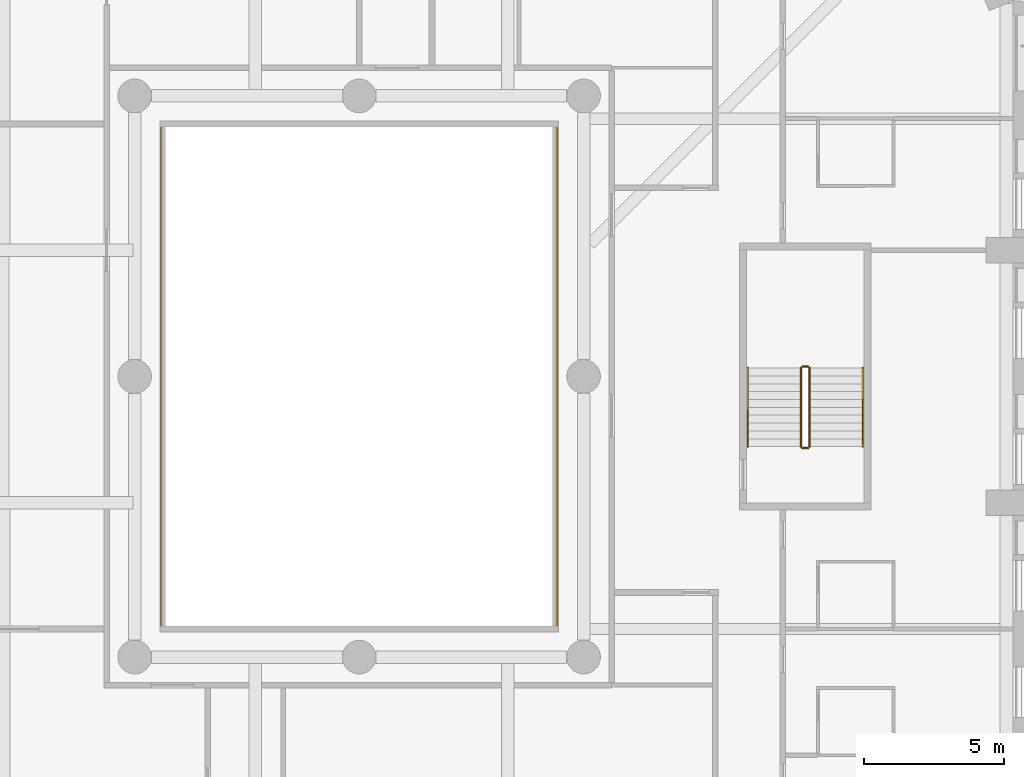
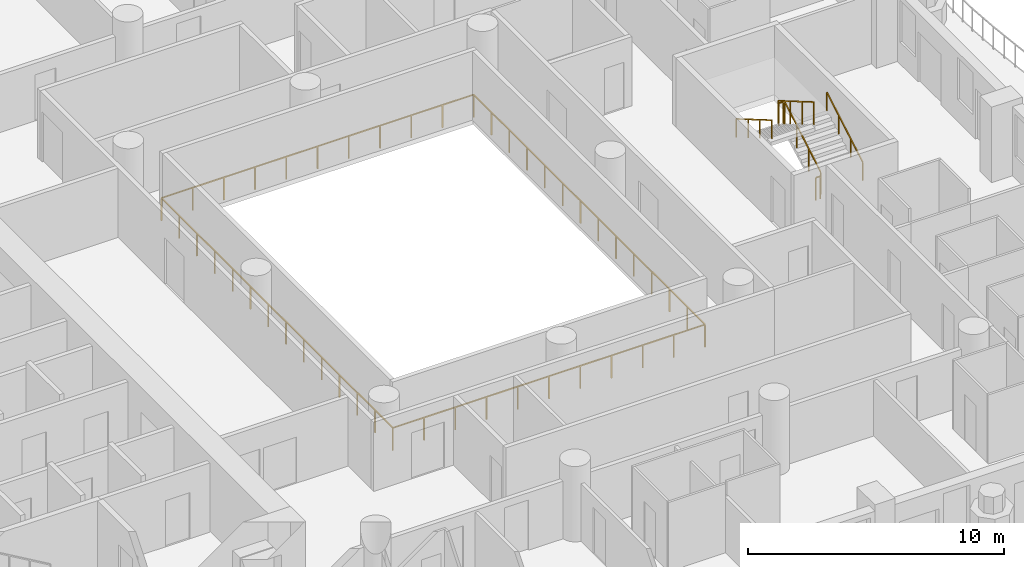
# One storey, part 15 of 20: 7 railings.
"""IFC4 building model written with IfcOpenShell, lengths in metres."""

from ifc_helpers import new_model, si_unit, direction, frame, origin, origin_2d, place, context, subcontext, project, spatial, rectangle, extrude, material, type_object, element, save


model = new_model("IFC4")

# Units and contexts
model_context = context("Model", 3, precision=1e-05, world=origin(), true_north=direction((0.0, 1.0)))
body_context = subcontext(model_context, "Body", "Model", "MODEL_VIEW")
ifc_project = project(units=[si_unit("LENGTHUNIT", "METRE"), si_unit("AREAUNIT", "SQUARE_METRE"), si_unit("VOLUMEUNIT", "CUBIC_METRE"), si_unit("PLANEANGLEUNIT", "RADIAN"), si_unit("MASSUNIT", "GRAM", prefix="KILO")], contexts=[model_context])

# Site, building, storey
site_placement = place(None, origin())
site = spatial("IfcSite", under=ifc_project, at=site_placement, CompositionType="ELEMENT")
building_placement = place(site_placement, origin())
building = spatial("IfcBuilding", under=site, at=building_placement, Name="Cypress Arch Tower", CompositionType="ELEMENT")
storey_placement = place(building_placement, frame((0.0, 0.0, 80.699951171875)))
storey = spatial("IfcBuildingStorey", under=building, at=storey_placement, Name="L14", CompositionType="ELEMENT", Elevation=80.699951171875)

# Railings
ifc_material_1 = material(Name="Stainless steel posts and handrail, laminated glass infill", Category="steel")
railing_type_1 = type_object("IfcRailingType", Name="Atrium guard GR1100A", PredefinedType="GUARDRAIL", material=ifc_material_1)
railing_1_placement = place(storey_placement, frame((8.050048828125, -9.050048828125, 0.0)))
element("IfcRailing", 1, at=railing_1_placement, inside=storey, type_object=railing_type_1, Name="Atrium guard L14", PredefinedType="GUARDRAIL", context=body_context, shape_type="SweptSolid", body=[
    extrude(rectangle(XDim=0.050048828125, YDim=0.050048828125, at=origin_2d()), frame((0.0, 0.0, 1.0751953125), z_axis=(-1.0, 0.0, 0.0), x_axis=(0.0, -1.0, 0.0)), (0.0, 0.0, 1.0), 14.10009765625),
    extrude(rectangle(XDim=0.050048828125, YDim=0.050048828125, at=origin_2d()), frame((-14.10009765625, 0.0, 1.0751953125), z_axis=(0.0, 1.0, 0.0), x_axis=(-1.0, 0.0, 0.0)), (0.0, 0.0, 1.0), 18.10009765625),
    extrude(rectangle(XDim=0.050048828125, YDim=0.050048828125, at=origin_2d()), frame((-14.10009765625, 18.10009765625, 1.0751953125), z_axis=(1.0, 0.0, 0.0), x_axis=(0.0, 1.0, 0.0)), (0.0, 0.0, 1.0), 14.10009765625),
    extrude(rectangle(XDim=0.050048828125, YDim=0.050048828125, at=origin_2d()), frame((0.0, 18.10009765625, 1.0751953125), z_axis=(0.0, -1.0, 0.0), x_axis=(1.0, 0.0, 0.0)), (0.0, 0.0, 1.0), 18.10009765625),
    extrude(rectangle(XDim=0.050048828125, YDim=0.050048828125, at=origin_2d()), origin(), (0.0, 0.0, 1.0), 1.050048828125),
    extrude(rectangle(XDim=0.050048828125, YDim=0.050048828125, at=origin_2d()), frame((-1.409912109375, 0.0, 0.0)), (0.0, 0.0, 1.0), 1.050048828125),
    extrude(rectangle(XDim=0.050048828125, YDim=0.050048828125, at=origin_2d()), frame((-2.820068359375, 0.0, 0.0)), (0.0, 0.0, 1.0), 1.050048828125),
    extrude(rectangle(XDim=0.050048828125, YDim=0.050048828125, at=origin_2d()), frame((-4.22998046875, 0.0, 0.0)), (0.0, 0.0, 1.0), 1.050048828125),
    extrude(rectangle(XDim=0.050048828125, YDim=0.050048828125, at=origin_2d()), frame((-5.64013671875, 0.0, 0.0)), (0.0, 0.0, 1.0), 1.050048828125),
    extrude(rectangle(XDim=0.050048828125, YDim=0.050048828125, at=origin_2d()), frame((-7.050048828125, 0.0, 0.0)), (0.0, 0.0, 1.0), 1.050048828125),
    extrude(rectangle(XDim=0.050048828125, YDim=0.050048828125, at=origin_2d()), frame((-8.4599609375, 0.0, 0.0)), (0.0, 0.0, 1.0), 1.050048828125),
    extrude(rectangle(XDim=0.050048828125, YDim=0.050048828125, at=origin_2d()), frame((-9.8701171875, 0.0, 0.0)), (0.0, 0.0, 1.0), 1.050048828125),
    extrude(rectangle(XDim=0.050048828125, YDim=0.050048828125, at=origin_2d()), frame((-11.280029296875, 0.0, 0.0)), (0.0, 0.0, 1.0), 1.050048828125),
    extrude(rectangle(XDim=0.050048828125, YDim=0.050048828125, at=origin_2d()), frame((-12.690185546875, 0.0, 0.0)), (0.0, 0.0, 1.0), 1.050048828125),
    extrude(rectangle(XDim=0.050048828125, YDim=0.050048828125, at=origin_2d()), frame((-14.10009765625, 0.0, 0.0)), (0.0, 0.0, 1.0), 1.050048828125),
    extrude(rectangle(XDim=0.050048828125, YDim=0.050048828125, at=origin_2d()), frame((-14.10009765625, 1.392333984375, 0.0)), (0.0, 0.0, 1.0), 1.050048828125),
    extrude(rectangle(XDim=0.050048828125, YDim=0.050048828125, at=origin_2d()), frame((-14.10009765625, 2.78466796875, 0.0)), (0.0, 0.0, 1.0), 1.050048828125),
    extrude(rectangle(XDim=0.050048828125, YDim=0.050048828125, at=origin_2d()), frame((-14.10009765625, 4.177001953125, 0.0)), (0.0, 0.0, 1.0), 1.050048828125),
    extrude(rectangle(XDim=0.050048828125, YDim=0.050048828125, at=origin_2d()), frame((-14.10009765625, 5.5693359375, 0.0)), (0.0, 0.0, 1.0), 1.050048828125),
    extrude(rectangle(XDim=0.050048828125, YDim=0.050048828125, at=origin_2d()), frame((-14.10009765625, 6.961669921875, 0.0)), (0.0, 0.0, 1.0), 1.050048828125),
    extrude(rectangle(XDim=0.050048828125, YDim=0.050048828125, at=origin_2d()), frame((-14.10009765625, 8.35400390625, 0.0)), (0.0, 0.0, 1.0), 1.050048828125),
    extrude(rectangle(XDim=0.050048828125, YDim=0.050048828125, at=origin_2d()), frame((-14.10009765625, 9.74609375, 0.0)), (0.0, 0.0, 1.0), 1.050048828125),
    extrude(rectangle(XDim=0.050048828125, YDim=0.050048828125, at=origin_2d()), frame((-14.10009765625, 11.138427734375, 0.0)), (0.0, 0.0, 1.0), 1.050048828125),
    extrude(rectangle(XDim=0.050048828125, YDim=0.050048828125, at=origin_2d()), frame((-14.10009765625, 12.53076171875, 0.0)), (0.0, 0.0, 1.0), 1.050048828125),
    extrude(rectangle(XDim=0.050048828125, YDim=0.050048828125, at=origin_2d()), frame((-14.10009765625, 13.923095703125, 0.0)), (0.0, 0.0, 1.0), 1.050048828125),
    extrude(rectangle(XDim=0.050048828125, YDim=0.050048828125, at=origin_2d()), frame((-14.10009765625, 15.3154296875, 0.0)), (0.0, 0.0, 1.0), 1.050048828125),
    extrude(rectangle(XDim=0.050048828125, YDim=0.050048828125, at=origin_2d()), frame((-14.10009765625, 16.707763671875, 0.0)), (0.0, 0.0, 1.0), 1.050048828125),
    extrude(rectangle(XDim=0.050048828125, YDim=0.050048828125, at=origin_2d()), frame((-14.10009765625, 18.10009765625, 0.0)), (0.0, 0.0, 1.0), 1.050048828125),
    extrude(rectangle(XDim=0.050048828125, YDim=0.050048828125, at=origin_2d()), frame((-12.690185546875, 18.10009765625, 0.0)), (0.0, 0.0, 1.0), 1.050048828125),
    extrude(rectangle(XDim=0.050048828125, YDim=0.050048828125, at=origin_2d()), frame((-11.280029296875, 18.10009765625, 0.0)), (0.0, 0.0, 1.0), 1.050048828125),
    extrude(rectangle(XDim=0.050048828125, YDim=0.050048828125, at=origin_2d()), frame((-9.8701171875, 18.10009765625, 0.0)), (0.0, 0.0, 1.0), 1.050048828125),
    extrude(rectangle(XDim=0.050048828125, YDim=0.050048828125, at=origin_2d()), frame((-8.4599609375, 18.10009765625, 0.0)), (0.0, 0.0, 1.0), 1.050048828125),
    extrude(rectangle(XDim=0.050048828125, YDim=0.050048828125, at=origin_2d()), frame((-7.050048828125, 18.10009765625, 0.0)), (0.0, 0.0, 1.0), 1.050048828125),
    extrude(rectangle(XDim=0.050048828125, YDim=0.050048828125, at=origin_2d()), frame((-5.64013671875, 18.10009765625, 0.0)), (0.0, 0.0, 1.0), 1.050048828125),
    extrude(rectangle(XDim=0.050048828125, YDim=0.050048828125, at=origin_2d()), frame((-4.22998046875, 18.10009765625, 0.0)), (0.0, 0.0, 1.0), 1.050048828125),
    extrude(rectangle(XDim=0.050048828125, YDim=0.050048828125, at=origin_2d()), frame((-2.820068359375, 18.10009765625, 0.0)), (0.0, 0.0, 1.0), 1.050048828125),
    extrude(rectangle(XDim=0.050048828125, YDim=0.050048828125, at=origin_2d()), frame((-1.409912109375, 18.10009765625, 0.0)), (0.0, 0.0, 1.0), 1.050048828125),
    extrude(rectangle(XDim=0.050048828125, YDim=0.050048828125, at=origin_2d()), frame((0.0, 18.10009765625, 0.0)), (0.0, 0.0, 1.0), 1.050048828125),
    extrude(rectangle(XDim=0.050048828125, YDim=0.050048828125, at=origin_2d()), frame((0.0, 16.707763671875, 0.0)), (0.0, 0.0, 1.0), 1.050048828125),
    extrude(rectangle(XDim=0.050048828125, YDim=0.050048828125, at=origin_2d()), frame((0.0, 15.3154296875, 0.0)), (0.0, 0.0, 1.0), 1.050048828125),
    extrude(rectangle(XDim=0.050048828125, YDim=0.050048828125, at=origin_2d()), frame((0.0, 13.923095703125, 0.0)), (0.0, 0.0, 1.0), 1.050048828125),
    extrude(rectangle(XDim=0.050048828125, YDim=0.050048828125, at=origin_2d()), frame((0.0, 12.53076171875, 0.0)), (0.0, 0.0, 1.0), 1.050048828125),
    extrude(rectangle(XDim=0.050048828125, YDim=0.050048828125, at=origin_2d()), frame((0.0, 11.138427734375, 0.0)), (0.0, 0.0, 1.0), 1.050048828125),
    extrude(rectangle(XDim=0.050048828125, YDim=0.050048828125, at=origin_2d()), frame((0.0, 9.74609375, 0.0)), (0.0, 0.0, 1.0), 1.050048828125),
    extrude(rectangle(XDim=0.050048828125, YDim=0.050048828125, at=origin_2d()), frame((0.0, 8.35400390625, 0.0)), (0.0, 0.0, 1.0), 1.050048828125),
    extrude(rectangle(XDim=0.050048828125, YDim=0.050048828125, at=origin_2d()), frame((0.0, 6.961669921875, 0.0)), (0.0, 0.0, 1.0), 1.050048828125),
    extrude(rectangle(XDim=0.050048828125, YDim=0.050048828125, at=origin_2d()), frame((0.0, 5.5693359375, 0.0)), (0.0, 0.0, 1.0), 1.050048828125),
    extrude(rectangle(XDim=0.050048828125, YDim=0.050048828125, at=origin_2d()), frame((0.0, 4.177001953125, 0.0)), (0.0, 0.0, 1.0), 1.050048828125),
    extrude(rectangle(XDim=0.050048828125, YDim=0.050048828125, at=origin_2d()), frame((0.0, 2.78466796875, 0.0)), (0.0, 0.0, 1.0), 1.050048828125),
    extrude(rectangle(XDim=0.050048828125, YDim=0.050048828125, at=origin_2d()), frame((0.0, 1.392333984375, 0.0)), (0.0, 0.0, 1.0), 1.050048828125),
])
ifc_material_2 = material(Name="Black powder-coated steel square bar 48 mm", Category="steel")
railing_type_2 = type_object("IfcRailingType", Name="Stair handrail HR1", PredefinedType="HANDRAIL", material=ifc_material_2)
railing_2_placement = place(storey_placement, frame((18.949951171875, -2.5, 0.16357421875)))
element("IfcRailing", 2, at=railing_2_placement, inside=storey, type_object=railing_type_2, Name="L14 C stair handrail 1", PredefinedType="HANDRAIL", context=body_context, shape_type="SweptSolid", body=[
    extrude(rectangle(XDim=0.048095703125, YDim=0.048095703125, at=origin_2d()), frame((0.0, 0.0, 0.8759765625), z_axis=(0.0, 0.863360870873, 0.504586966384), x_axis=(-1.0, 0.0, 0.0)), (0.0, 0.0, 1.0), 3.2431640625),
    extrude(rectangle(XDim=0.0419921875, YDim=0.0419921875, at=origin_2d()), origin(), (0.0, 0.0, 1.0), 0.851806640625),
    extrude(rectangle(XDim=0.0419921875, YDim=0.0419921875, at=origin_2d()), frame((0.0, 0.933349609375, 0.54541015625)), (0.0, 0.0, 1.0), 0.851806640625),
    extrude(rectangle(XDim=0.0419921875, YDim=0.0419921875, at=origin_2d()), frame((0.0, 1.86669921875, 1.091064453125)), (0.0, 0.0, 1.0), 0.851806640625),
    extrude(rectangle(XDim=0.0419921875, YDim=0.0419921875, at=origin_2d()), frame((0.0, 2.800048828125, 1.636474609375)), (0.0, 0.0, 1.0), 0.851806640625),
])
railing_3_placement = place(storey_placement, frame((14.85009765625, 0.300048828125, 1.963623046875)))
element("IfcRailing", 3, at=railing_3_placement, inside=storey, type_object=railing_type_2, Name="L14 C stair handrail 2", PredefinedType="HANDRAIL", context=body_context, shape_type="SweptSolid", body=[
    extrude(rectangle(XDim=0.048095703125, YDim=0.048095703125, at=origin_2d()), frame((0.0, 0.0, 0.8759765625), z_axis=(0.0, -0.863360870873, 0.504586966384), x_axis=(1.0, 0.0, 0.0)), (0.0, 0.0, 1.0), 3.2431640625),
    extrude(rectangle(XDim=0.0419921875, YDim=0.0419921875, at=origin_2d()), origin(), (0.0, 0.0, 1.0), 0.851806640625),
    extrude(rectangle(XDim=0.0419921875, YDim=0.0419921875, at=origin_2d()), frame((0.0, -0.933349609375, 0.54541015625)), (0.0, 0.0, 1.0), 0.851806640625),
    extrude(rectangle(XDim=0.0419921875, YDim=0.0419921875, at=origin_2d()), frame((0.0, -1.86669921875, 1.091064453125)), (0.0, 0.0, 1.0), 0.851806640625),
    extrude(rectangle(XDim=0.0419921875, YDim=0.0419921875, at=origin_2d()), frame((0.0, -2.800048828125, 1.636474609375)), (0.0, 0.0, 1.0), 0.851806640625),
])
ifc_material_3 = material(Name="Black powder-coated steel balusters", Category="steel")
railing_type_3 = type_object("IfcRailingType", Name="Stair well guard G1", PredefinedType="GUARDRAIL", material=ifc_material_3)
railing_4_placement = place(storey_placement, frame((17.050048828125, -2.5, 0.16357421875)))
element("IfcRailing", 4, at=railing_4_placement, inside=storey, type_object=railing_type_3, Name="L14 C stair guard 1", PredefinedType="GUARDRAIL", context=body_context, shape_type="SweptSolid", body=[
    extrude(rectangle(XDim=0.048095703125, YDim=0.048095703125, at=origin_2d()), frame((0.0, 0.0, 1.076171875), z_axis=(0.0, 0.863360870873, 0.504586966384), x_axis=(-1.0, 0.0, 0.0)), (0.0, 0.0, 1.0), 3.2431640625),
    extrude(rectangle(XDim=0.0419921875, YDim=0.0419921875, at=origin_2d()), origin(), (0.0, 0.0, 1.0), 1.052001953125),
    extrude(rectangle(XDim=0.0419921875, YDim=0.0419921875, at=origin_2d()), frame((0.0, 0.933349609375, 0.54541015625)), (0.0, 0.0, 1.0), 1.052001953125),
    extrude(rectangle(XDim=0.0419921875, YDim=0.0419921875, at=origin_2d()), frame((0.0, 1.86669921875, 1.091064453125)), (0.0, 0.0, 1.0), 1.052001953125),
    extrude(rectangle(XDim=0.0419921875, YDim=0.0419921875, at=origin_2d()), frame((0.0, 2.800048828125, 1.636474609375)), (0.0, 0.0, 1.0), 1.052001953125),
])
railing_5_placement = place(storey_placement, frame((17.0, 0.35009765625, 1.800048828125)))
element("IfcRailing", 5, at=railing_5_placement, inside=storey, type_object=railing_type_3, Name="L14 C stair guard 2", PredefinedType="GUARDRAIL", context=body_context, shape_type="SweptSolid", body=[
    extrude(rectangle(XDim=0.048095703125, YDim=0.048095703125, at=origin_2d()), frame((0.0, 0.0, 1.076171875), z_axis=(-1.0, 0.0, 0.0), x_axis=(0.0, -1.0, 0.0)), (0.0, 0.0, 1.0), 0.199951171875),
    extrude(rectangle(XDim=0.0419921875, YDim=0.0419921875, at=origin_2d()), origin(), (0.0, 0.0, 1.0), 1.052001953125),
    extrude(rectangle(XDim=0.0419921875, YDim=0.0419921875, at=origin_2d()), frame((-0.199951171875, 0.0, 0.0)), (0.0, 0.0, 1.0), 1.052001953125),
])
railing_6_placement = place(storey_placement, frame((16.75, 0.300048828125, 1.963623046875)))
element("IfcRailing", 6, at=railing_6_placement, inside=storey, type_object=railing_type_3, Name="L14 C stair guard 3", PredefinedType="GUARDRAIL", context=body_context, shape_type="SweptSolid", body=[
    extrude(rectangle(XDim=0.048095703125, YDim=0.048095703125, at=origin_2d()), frame((0.0, 0.0, 1.076171875), z_axis=(0.0, -0.863360870873, 0.504586966384), x_axis=(1.0, 0.0, 0.0)), (0.0, 0.0, 1.0), 3.2431640625),
    extrude(rectangle(XDim=0.0419921875, YDim=0.0419921875, at=origin_2d()), origin(), (0.0, 0.0, 1.0), 1.052001953125),
    extrude(rectangle(XDim=0.0419921875, YDim=0.0419921875, at=origin_2d()), frame((0.0, -0.933349609375, 0.54541015625)), (0.0, 0.0, 1.0), 1.052001953125),
    extrude(rectangle(XDim=0.0419921875, YDim=0.0419921875, at=origin_2d()), frame((0.0, -1.86669921875, 1.091064453125)), (0.0, 0.0, 1.0), 1.052001953125),
    extrude(rectangle(XDim=0.0419921875, YDim=0.0419921875, at=origin_2d()), frame((0.0, -2.800048828125, 1.636474609375)), (0.0, 0.0, 1.0), 1.052001953125),
])
railing_7_placement = place(storey_placement, frame((17.0, -2.550048828125, 0.0)))
element("IfcRailing", 7, at=railing_7_placement, inside=storey, type_object=railing_type_3, Name="L14 C stair guard 4", PredefinedType="GUARDRAIL", context=body_context, shape_type="SweptSolid", body=[
    extrude(rectangle(XDim=0.048095703125, YDim=0.048095703125, at=origin_2d()), frame((0.0, 0.0, 1.076171875), z_axis=(-1.0, 0.0, 0.0), x_axis=(0.0, -1.0, 0.0)), (0.0, 0.0, 1.0), 0.199951171875),
    extrude(rectangle(XDim=0.0419921875, YDim=0.0419921875, at=origin_2d()), origin(), (0.0, 0.0, 1.0), 1.052001953125),
    extrude(rectangle(XDim=0.0419921875, YDim=0.0419921875, at=origin_2d()), frame((-0.199951171875, 0.0, 0.0)), (0.0, 0.0, 1.0), 1.052001953125),
])

save(model, "model.ifc")
